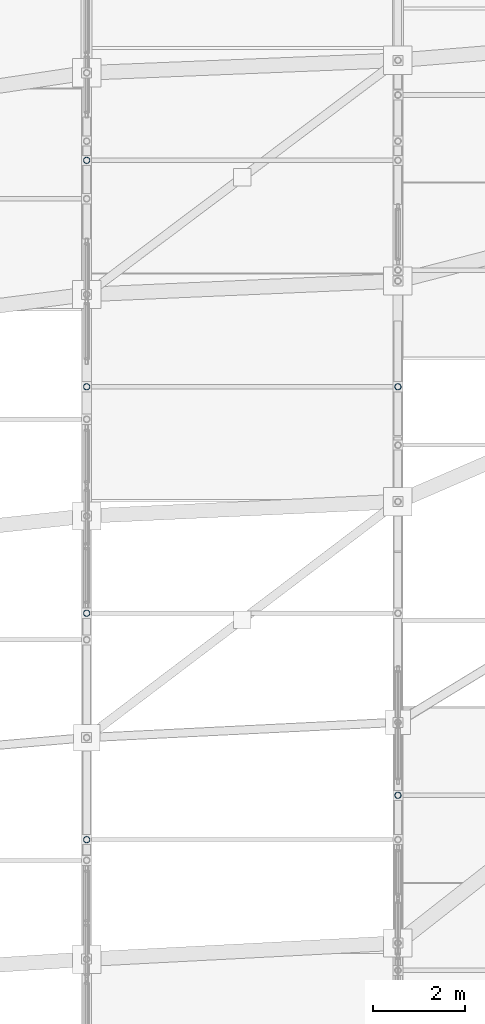
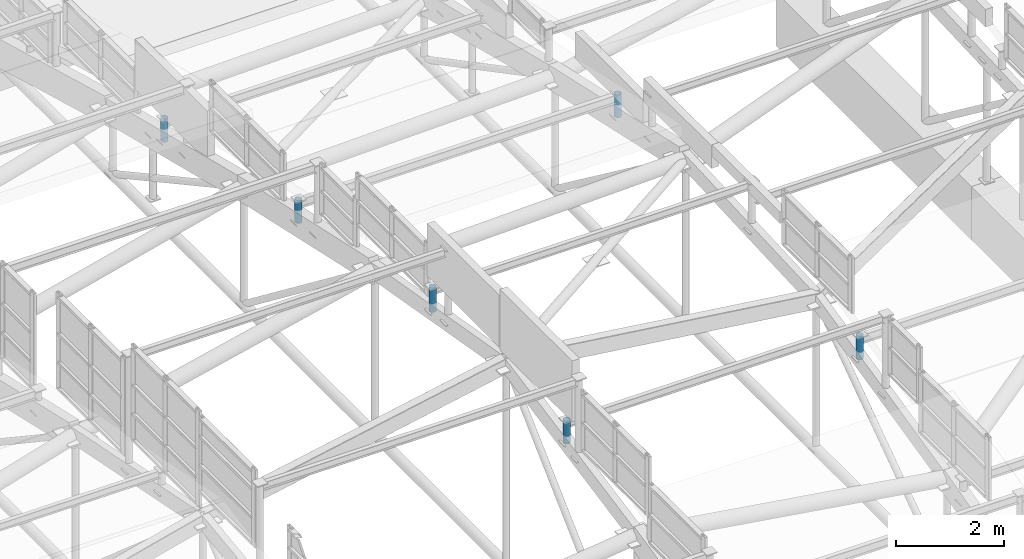
# One storey, part 145 of 188: 6 members.
"""IFC4 building model written with IfcOpenShell, lengths in metres."""

from ifc_helpers import new_model, si_unit, direction, frame, origin, origin_2d, place, context, subcontext, project, spatial, hollow_circle, extrude, material, material_profile, profile_set, type_object, element, save


model = new_model("IFC4")

# Units and contexts
model_context = context("Model", 3, precision=1e-05, world=origin(), true_north=direction((0.0, 1.0)))
body_context = subcontext(model_context, "Body", "Model", "MODEL_VIEW")
ifc_project = project(units=[si_unit("LENGTHUNIT", "METRE"), si_unit("AREAUNIT", "SQUARE_METRE"), si_unit("VOLUMEUNIT", "CUBIC_METRE"), si_unit("PLANEANGLEUNIT", "RADIAN"), si_unit("MASSUNIT", "GRAM", prefix="KILO")], contexts=[model_context])

# Site, building, storey
site_placement = place(None, origin())
site = spatial("IfcSite", under=ifc_project, at=site_placement, CompositionType="ELEMENT")
building_placement = place(site_placement, origin())
building = spatial("IfcBuilding", under=site, at=building_placement, Name="Kisaragi Civic Commons", CompositionType="ELEMENT")
storey_placement = place(building_placement, frame((0.0, 0.0, 9.60009765625)))
storey = spatial("IfcBuildingStorey", under=building, at=storey_placement, Name="L02", CompositionType="ELEMENT", Elevation=9.60009765625)

# Members
ifc_material = material(Name="Steel SN490 (SN490B)", Category="steel")
ifc_material_profile = material_profile(ifc_material, hollow_circle(Radius=0.06982421875, WallThickness=0.006103515625, at=origin_2d()), Name="CHS-139.8x6.0", Category="steel")
ifc_profile_set = profile_set([ifc_material_profile], Name="Steel SN490 (SN490B)")
member_type = type_object("IfcMemberType", Name="ST-H1", PredefinedType="STRUT", material=ifc_profile_set)
member_1_placement = place(storey_placement, frame((20.39990234375, 96.33740234375, 3.73486328125), z_axis=(0.0, 0.0, 1.0), x_axis=(1.0, 0.0, 0.0)))
element("IfcMember", 1, at=member_1_placement, inside=storey, type_object=member_type, Name="V2 clerestory monitor horizontal tie strut 4.3.4", PredefinedType="STRUT", context=body_context, shape_type="SweptSolid", body=[
    extrude(hollow_circle(Radius=0.06982421875, WallThickness=0.006103515625, at=origin_2d()), origin(), (0.0, 0.0, 1.0), 0.5146484375),
])
member_2_placement = place(storey_placement, frame((20.39990234375, 101.285400390625, 3.69873046875), z_axis=(0.0, 0.0, 1.0), x_axis=(1.0, 0.0, 0.0)))
element("IfcMember", 2, at=member_2_placement, inside=storey, type_object=member_type, Name="V2 clerestory monitor horizontal tie strut 4.3.5", PredefinedType="STRUT", context=body_context, shape_type="SweptSolid", body=[
    extrude(hollow_circle(Radius=0.06982421875, WallThickness=0.006103515625, at=origin_2d()), origin(), (0.0, 0.0, 1.0), 0.55078125),
])
member_3_placement = place(storey_placement, frame((20.39990234375, 106.2333984375, 2.7021484375), z_axis=(0.0, 0.0, 1.0), x_axis=(1.0, 0.0, 0.0)))
element("IfcMember", 3, at=member_3_placement, inside=storey, type_object=member_type, Name="V2 clerestory monitor horizontal tie strut 4.3.6", PredefinedType="STRUT", context=body_context, shape_type="SweptSolid", body=[
    extrude(hollow_circle(Radius=0.06982421875, WallThickness=0.006103515625, at=origin_2d()), origin(), (0.0, 0.0, 1.0), 0.51416015625),
])
member_4_placement = place(storey_placement, frame((27.199951171875, 106.2333984375, 2.70068359375), z_axis=(0.0, 0.0, 1.0), x_axis=(1.0, 0.0, 0.0)))
element("IfcMember", 4, at=member_4_placement, inside=storey, type_object=member_type, Name="V2 clerestory monitor horizontal tie strut 4.4.6", PredefinedType="STRUT", context=body_context, shape_type="SweptSolid", body=[
    extrude(hollow_circle(Radius=0.06982421875, WallThickness=0.006103515625, at=origin_2d()), origin(), (0.0, 0.0, 1.0), 0.515625),
])
member_5_placement = place(storey_placement, frame((20.39990234375, 111.18115234375, 1.527587890625), z_axis=(0.0, 0.0, 1.0), x_axis=(1.0, 0.0, 0.0)))
element("IfcMember", 5, at=member_5_placement, inside=storey, type_object=member_type, Name="V2 clerestory monitor horizontal tie strut 4.3.7", PredefinedType="STRUT", context=body_context, shape_type="SweptSolid", body=[
    extrude(hollow_circle(Radius=0.06982421875, WallThickness=0.006103515625, at=origin_2d()), origin(), (0.0, 0.0, 1.0), 0.5205078125),
])
member_6_placement = place(storey_placement, frame((27.199951171875, 97.30712890625, 2.66162109375), z_axis=(0.0, 0.0, 1.0), x_axis=(1.0, 0.0, 0.0)))
element("IfcMember", 6, at=member_6_placement, inside=storey, type_object=member_type, Name="V2 clerestory monitor horizontal tie strut 5.4.3", PredefinedType="STRUT", context=body_context, shape_type="SweptSolid", body=[
    extrude(hollow_circle(Radius=0.06982421875, WallThickness=0.006103515625, at=origin_2d()), origin(), (0.0, 0.0, 1.0), 0.5283203125),
])

save(model, "model.ifc")
